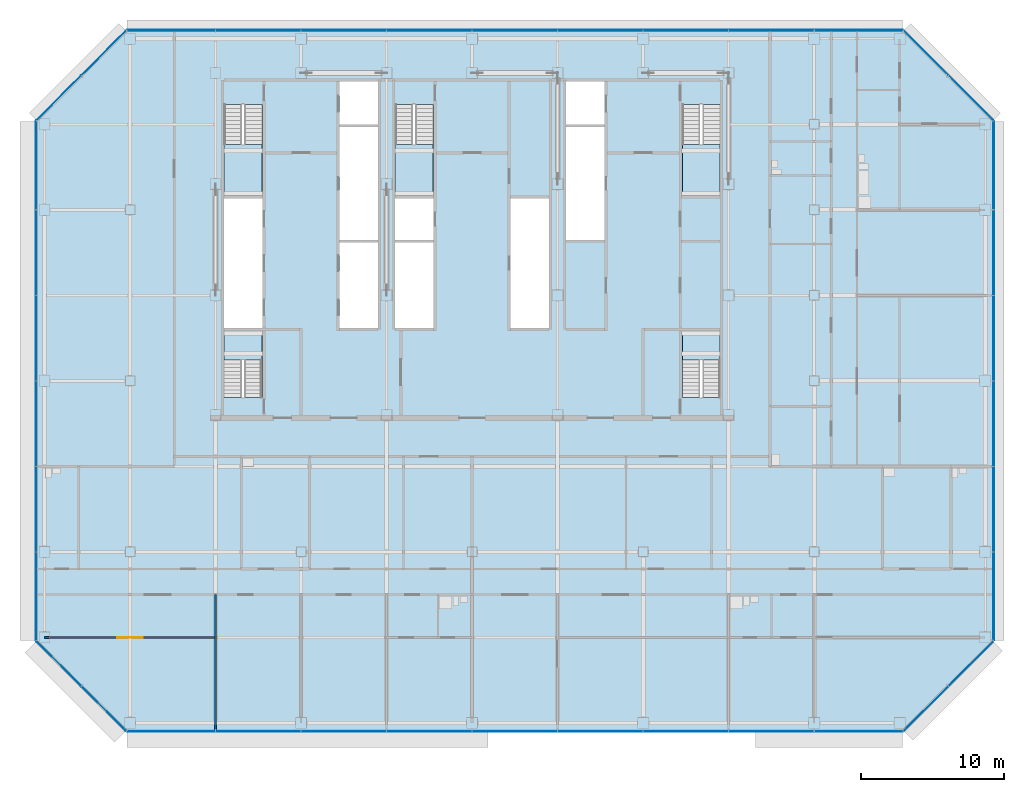
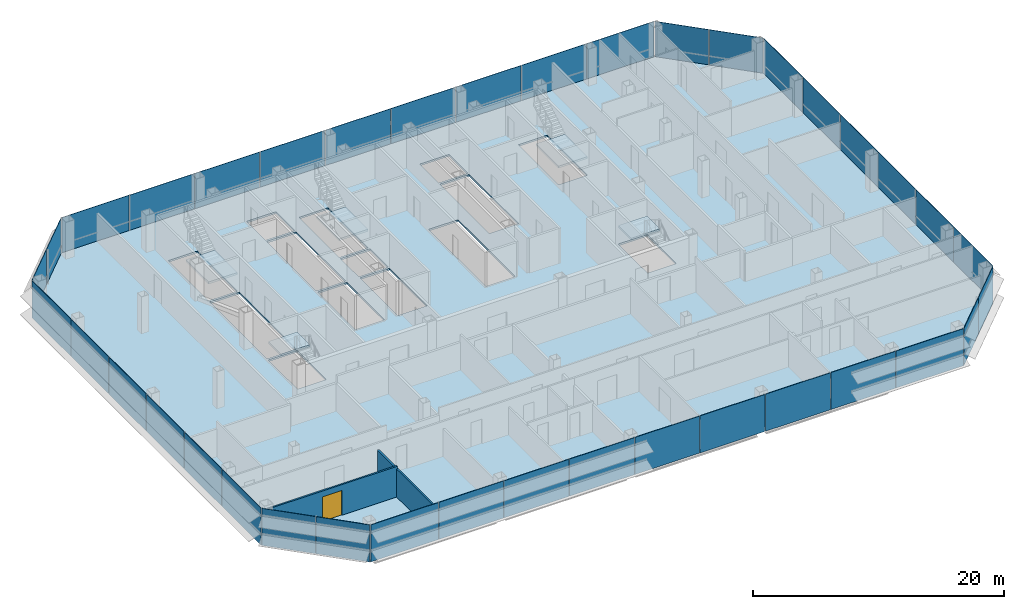
# One storey, part 18 of 25: 38 plates, 6 slabs, 2 walls, 1 door, 1 opening, 13 elements without a shape of their own.
"""IFC4 building model written with IfcOpenShell, lengths in metres."""

from ifc_helpers import new_model, si_unit, direction, frame, frame_2d, origin, origin_2d, place, context, subcontext, project, spatial, polyline, rectangle, outline, extrude, material, layer, layer_set, type_object, element, fill, aggregate, save


model = new_model("IFC4")

# Units and contexts
model_context = context("Model", 3, precision=1e-05, world=origin(), true_north=direction((0.0, 1.0)))
body_context = subcontext(model_context, "Body", "Model", "MODEL_VIEW")
ifc_project = project(units=[si_unit("LENGTHUNIT", "METRE"), si_unit("AREAUNIT", "SQUARE_METRE"), si_unit("VOLUMEUNIT", "CUBIC_METRE"), si_unit("PLANEANGLEUNIT", "RADIAN"), si_unit("MASSUNIT", "GRAM", prefix="KILO")], contexts=[model_context])

# Site, building, storey
site_placement = place(None, origin())
site = spatial("IfcSite", under=ifc_project, at=site_placement, CompositionType="ELEMENT")
building_placement = place(site_placement, origin())
building = spatial("IfcBuilding", under=site, at=building_placement, Name="Sorahane Residences", CompositionType="ELEMENT")
storey_placement = place(building_placement, frame((0.0, 0.0, 99.800048828125)))
storey = spatial("IfcBuildingStorey", under=building, at=storey_placement, Name="L21", CompositionType="ELEMENT", Elevation=99.800048828125)

# Slab
ifc_material_1 = material(Name="Concrete C35", Category="concrete")
ifc_layer_1 = layer(ifc_material_1, 0.179931640625)
ifc_layer_set_1 = layer_set([ifc_layer_1], Name="Composite floor slab 180 mm Concrete C35")
slab_type_1 = type_object("IfcSlabType", Name="Composite floor slab 180 mm Concrete C35", PredefinedType="FLOOR", material=ifc_layer_set_1)
slab_1_placement = place(storey_placement, frame((0.0, 0.0, -0.179931640625)))
element("IfcSlab", 1, at=slab_1_placement, inside=storey, type_object=slab_type_1, Name="Slab L21", PredefinedType="FLOOR", context=body_context, shape_type="SweptSolid", body=[
    extrude(outline(polyline([(-0.24853515625, -0.60009765625), (-6.60009765625, 5.75146484375), (-6.60009765625, 42.24853515625), (-0.24853515625, 48.60009765625), (54.24853515625, 48.60009765625), (60.60009765625, 42.24853515625), (60.60009765625, 5.75146484375), (54.24853515625, -0.60009765625), (-0.24853515625, -0.60009765625)]), holes=[polyline([(18.60009765625, 27.699951171875), (21.300048828125, 27.699951171875), (21.300048828125, 33.699951171875), (18.60009765625, 33.699951171875), (18.60009765625, 27.699951171875)]), polyline([(30.60009765625, 42.0), (33.300048828125, 42.0), (33.300048828125, 45.0), (30.60009765625, 45.0), (30.60009765625, 42.0)]), polyline([(14.699951171875, 27.699951171875), (17.39990234375, 27.699951171875), (17.39990234375, 33.699951171875), (14.699951171875, 33.699951171875), (14.699951171875, 27.699951171875)]), polyline([(14.699951171875, 42.0), (17.39990234375, 42.0), (17.39990234375, 45.0), (14.699951171875, 45.0), (14.699951171875, 42.0)]), polyline([(6.60009765625, 27.699951171875), (9.300048828125, 27.699951171875), (9.300048828125, 36.800048828125), (6.60009765625, 36.800048828125), (6.60009765625, 27.699951171875)]), polyline([(6.60009765625, 43.39990234375), (6.60009765625, 37.0), (9.25, 37.0), (9.25, 43.39990234375), (6.60009765625, 43.39990234375)]), polyline([(38.75, 43.39990234375), (38.75, 37.0), (41.39990234375, 37.0), (41.39990234375, 43.39990234375), (38.75, 43.39990234375)]), polyline([(18.60009765625, 43.39990234375), (18.60009765625, 37.0), (21.25, 37.0), (21.25, 43.39990234375), (18.60009765625, 43.39990234375)]), polyline([(9.25, 22.85009765625), (9.25, 27.5), (6.60009765625, 27.5), (6.60009765625, 22.85009765625), (9.25, 22.85009765625)]), polyline([(41.39990234375, 22.85009765625), (41.39990234375, 27.5), (38.75, 27.5), (38.75, 22.85009765625), (41.39990234375, 22.85009765625)]), polyline([(14.699951171875, 33.89990234375), (17.39990234375, 33.89990234375), (17.39990234375, 41.800048828125), (14.699951171875, 41.800048828125), (14.699951171875, 33.89990234375)]), polyline([(30.60009765625, 33.89990234375), (33.300048828125, 33.89990234375), (33.300048828125, 41.800048828125), (30.60009765625, 41.800048828125), (30.60009765625, 33.89990234375)]), polyline([(18.60009765625, 33.89990234375), (21.300048828125, 33.89990234375), (21.300048828125, 36.800048828125), (18.60009765625, 36.800048828125), (18.60009765625, 33.89990234375)]), polyline([(26.699951171875, 27.699951171875), (29.39990234375, 27.699951171875), (29.39990234375, 36.800048828125), (26.699951171875, 36.800048828125), (26.699951171875, 27.699951171875)])]), origin(), (0.0, 0.0, 1.0), 0.179931640625),
])

# Curtain wall, plates
ifc_material_2 = material(Name="Dark low-e glass and black anodised aluminium", Category="aluminium")
curtain_wall_type_1 = type_object("IfcCurtainWallType", Name="Curtain wall CW-1 Typical unitised wall", PredefinedType="NOTDEFINED", material=ifc_material_2)
curtain_wall_1_placement = place(storey_placement, origin())
curtain_wall_1 = element("IfcCurtainWall", 2, at=curtain_wall_1_placement, inside=storey, type_object=curtain_wall_type_1, Name="CW-1 curtain wall L21 S1", PredefinedType="NOTDEFINED")
ifc_material_3 = material(Name="Dark low-e glass with black ceramic frit", Category="glass")
ifc_layer_2 = layer(ifc_material_3, 0.0400390625)
ifc_layer_set_2 = layer_set([ifc_layer_2], Name="Curtain wall glass panel dark low-e with black frit spandrel band")
plate_type = type_object("IfcPlateType", Name="Curtain wall glass panel dark low-e with black frit spandrel band", PredefinedType="CURTAIN_PANEL", material=ifc_layer_set_2)
plate_1_placement = place(storey_placement, frame((2.88818359375, -0.60009765625, -0.18017578125), z_axis=(0.0, 0.0, 1.0), x_axis=(1.0, 0.0, 0.0)))
plate_1 = element("IfcPlate", 3, at=plate_1_placement, type_object=plate_type, Name="CW-1 glass panel L21 S1.1", PredefinedType="CURTAIN_PANEL", context=body_context, shape_type="SweptSolid", body=[
    extrude(rectangle(XDim=6.173583984375, YDim=0.0400390625, at=origin_2d()), origin(), (0.0, 0.0, 1.0), 3.60009765625),
])
plate_2_placement = place(storey_placement, frame((9.0, -0.60009765625, -0.18017578125), z_axis=(0.0, 0.0, 1.0), x_axis=(1.0, 0.0, 0.0)))
plate_2 = element("IfcPlate", 4, at=plate_2_placement, type_object=plate_type, Name="CW-1 glass panel L21 S1.2", PredefinedType="CURTAIN_PANEL", context=body_context, shape_type="SweptSolid", body=[
    extrude(rectangle(XDim=5.949951171875, YDim=0.0400390625, at=origin_2d()), origin(), (0.0, 0.0, 1.0), 3.60009765625),
])
plate_3_placement = place(storey_placement, frame((15.0, -0.60009765625, -0.18017578125), z_axis=(0.0, 0.0, 1.0), x_axis=(1.0, 0.0, 0.0)))
plate_3 = element("IfcPlate", 5, at=plate_3_placement, type_object=plate_type, Name="CW-1 glass panel L21 S1.3", PredefinedType="CURTAIN_PANEL", context=body_context, shape_type="SweptSolid", body=[
    extrude(rectangle(XDim=5.949951171875, YDim=0.0400390625, at=origin_2d()), origin(), (0.0, 0.0, 1.0), 3.60009765625),
])
plate_4_placement = place(storey_placement, frame((21.0, -0.60009765625, -0.18017578125), z_axis=(0.0, 0.0, 1.0), x_axis=(1.0, 0.0, 0.0)))
plate_4 = element("IfcPlate", 6, at=plate_4_placement, type_object=plate_type, Name="CW-1 glass panel L21 S1.4", PredefinedType="CURTAIN_PANEL", context=body_context, shape_type="SweptSolid", body=[
    extrude(rectangle(XDim=5.949951171875, YDim=0.0400390625, at=origin_2d()), origin(), (0.0, 0.0, 1.0), 3.60009765625),
])
plate_5_placement = place(storey_placement, frame((27.0, -0.60009765625, -0.18017578125), z_axis=(0.0, 0.0, 1.0), x_axis=(1.0, 0.0, 0.0)))
plate_5 = element("IfcPlate", 7, at=plate_5_placement, type_object=plate_type, Name="CW-1 glass panel L21 S1.5", PredefinedType="CURTAIN_PANEL", context=body_context, shape_type="SweptSolid", body=[
    extrude(rectangle(XDim=5.949951171875, YDim=0.0400390625, at=origin_2d()), origin(), (0.0, 0.0, 1.0), 3.60009765625),
])
plate_6_placement = place(storey_placement, frame((33.0, -0.60009765625, -0.18017578125), z_axis=(0.0, 0.0, 1.0), x_axis=(1.0, 0.0, 0.0)))
plate_6 = element("IfcPlate", 8, at=plate_6_placement, type_object=plate_type, Name="CW-1 glass panel L21 S1.6", PredefinedType="CURTAIN_PANEL", context=body_context, shape_type="SweptSolid", body=[
    extrude(rectangle(XDim=5.949951171875, YDim=0.0400390625, at=origin_2d()), origin(), (0.0, 0.0, 1.0), 3.60009765625),
])
plate_7_placement = place(storey_placement, frame((39.0, -0.60009765625, -0.18017578125), z_axis=(0.0, 0.0, 1.0), x_axis=(1.0, 0.0, 0.0)))
plate_7 = element("IfcPlate", 9, at=plate_7_placement, type_object=plate_type, Name="CW-1 glass panel L21 S1.7", PredefinedType="CURTAIN_PANEL", context=body_context, shape_type="SweptSolid", body=[
    extrude(rectangle(XDim=5.949951171875, YDim=0.0400390625, at=origin_2d()), origin(), (0.0, 0.0, 1.0), 3.60009765625),
])
plate_8_placement = place(storey_placement, frame((45.0, -0.60009765625, -0.18017578125), z_axis=(0.0, 0.0, 1.0), x_axis=(1.0, 0.0, 0.0)))
plate_8 = element("IfcPlate", 10, at=plate_8_placement, type_object=plate_type, Name="CW-1 glass panel L21 S1.8", PredefinedType="CURTAIN_PANEL", context=body_context, shape_type="SweptSolid", body=[
    extrude(rectangle(XDim=5.949951171875, YDim=0.0400390625, at=origin_2d()), origin(), (0.0, 0.0, 1.0), 3.60009765625),
])
plate_9_placement = place(storey_placement, frame((51.11181640625, -0.60009765625, -0.18017578125), z_axis=(0.0, 0.0, 1.0), x_axis=(1.0, 0.0, 0.0)))
plate_9 = element("IfcPlate", 11, at=plate_9_placement, type_object=plate_type, Name="CW-1 glass panel L21 S1.9", PredefinedType="CURTAIN_PANEL", context=body_context, shape_type="SweptSolid", body=[
    extrude(rectangle(XDim=6.173583984375, YDim=0.0400390625, at=origin_2d()), origin(), (0.0, 0.0, 1.0), 3.60009765625),
])
aggregate(curtain_wall_1, [plate_1, plate_2, plate_3, plate_4, plate_5, plate_6, plate_7, plate_8, plate_9])

ifc_material_4 = material(Name="Dark low-e glass and black anodised aluminium", Category="aluminium")
curtain_wall_type_2 = type_object("IfcCurtainWallType", Name="Curtain wall CW-2 Chamfer unitised wall", PredefinedType="NOTDEFINED", material=ifc_material_4)
curtain_wall_2_placement = place(storey_placement, origin())
curtain_wall_2 = element("IfcCurtainWall", 12, at=curtain_wall_2_placement, inside=storey, type_object=curtain_wall_type_2, Name="CW-2 curtain wall L21 SE1", PredefinedType="NOTDEFINED")
plate_10_placement = place(storey_placement, frame((55.84521484375, 0.996826171875, -0.18017578125), z_axis=(0.0, 0.0, 1.0), x_axis=(0.707106781187, 0.707106781187, 0.0)))
plate_10 = element("IfcPlate", 13, at=plate_10_placement, type_object=plate_type, Name="CW-2 glass panel L21 SE1.1", PredefinedType="CURTAIN_PANEL", context=body_context, shape_type="SweptSolid", body=[
    extrude(rectangle(XDim=4.416259765625, YDim=0.0400390625, at=origin_2d()), origin(), (0.0, 0.0, 1.0), 3.60009765625),
])
plate_11_placement = place(storey_placement, frame((59.003173828125, 4.15478515625, -0.18017578125), z_axis=(0.0, 0.0, 1.0), x_axis=(0.707106781187, 0.707106781187, 0.0)))
plate_11 = element("IfcPlate", 14, at=plate_11_placement, type_object=plate_type, Name="CW-2 glass panel L21 SE1.2", PredefinedType="CURTAIN_PANEL", context=body_context, shape_type="SweptSolid", body=[
    extrude(rectangle(XDim=4.416259765625, YDim=0.0400390625, at=origin_2d()), origin(), (0.0, 0.0, 1.0), 3.60009765625),
])
aggregate(curtain_wall_2, [plate_10, plate_11])

curtain_wall_3_placement = place(storey_placement, origin())
curtain_wall_3 = element("IfcCurtainWall", 15, at=curtain_wall_3_placement, inside=storey, type_object=curtain_wall_type_1, Name="CW-1 curtain wall L21 E1", PredefinedType="NOTDEFINED")
plate_12_placement = place(storey_placement, frame((60.60009765625, 8.88818359375, -0.18017578125), z_axis=(0.0, 0.0, 1.0), x_axis=(0.0, 1.0, 0.0)))
plate_12 = element("IfcPlate", 16, at=plate_12_placement, type_object=plate_type, Name="CW-1 glass panel L21 E1.1", PredefinedType="CURTAIN_PANEL", context=body_context, shape_type="SweptSolid", body=[
    extrude(rectangle(XDim=6.173583984375, YDim=0.0400390625, at=origin_2d()), origin(), (0.0, 0.0, 1.0), 3.60009765625),
])
plate_13_placement = place(storey_placement, frame((60.60009765625, 15.0, -0.18017578125), z_axis=(0.0, 0.0, 1.0), x_axis=(0.0, 1.0, 0.0)))
plate_13 = element("IfcPlate", 17, at=plate_13_placement, type_object=plate_type, Name="CW-1 glass panel L21 E1.2", PredefinedType="CURTAIN_PANEL", context=body_context, shape_type="SweptSolid", body=[
    extrude(rectangle(XDim=5.949951171875, YDim=0.0400390625, at=origin_2d()), origin(), (0.0, 0.0, 1.0), 3.60009765625),
])
plate_14_placement = place(storey_placement, frame((60.60009765625, 21.0, -0.18017578125), z_axis=(0.0, 0.0, 1.0), x_axis=(0.0, 1.0, 0.0)))
plate_14 = element("IfcPlate", 18, at=plate_14_placement, type_object=plate_type, Name="CW-1 glass panel L21 E1.3", PredefinedType="CURTAIN_PANEL", context=body_context, shape_type="SweptSolid", body=[
    extrude(rectangle(XDim=5.949951171875, YDim=0.0400390625, at=origin_2d()), origin(), (0.0, 0.0, 1.0), 3.60009765625),
])
plate_15_placement = place(storey_placement, frame((60.60009765625, 27.0, -0.18017578125), z_axis=(0.0, 0.0, 1.0), x_axis=(0.0, 1.0, 0.0)))
plate_15 = element("IfcPlate", 19, at=plate_15_placement, type_object=plate_type, Name="CW-1 glass panel L21 E1.4", PredefinedType="CURTAIN_PANEL", context=body_context, shape_type="SweptSolid", body=[
    extrude(rectangle(XDim=5.949951171875, YDim=0.0400390625, at=origin_2d()), origin(), (0.0, 0.0, 1.0), 3.60009765625),
])
plate_16_placement = place(storey_placement, frame((60.60009765625, 33.0, -0.18017578125), z_axis=(0.0, 0.0, 1.0), x_axis=(0.0, 1.0, 0.0)))
plate_16 = element("IfcPlate", 20, at=plate_16_placement, type_object=plate_type, Name="CW-1 glass panel L21 E1.5", PredefinedType="CURTAIN_PANEL", context=body_context, shape_type="SweptSolid", body=[
    extrude(rectangle(XDim=5.949951171875, YDim=0.0400390625, at=origin_2d()), origin(), (0.0, 0.0, 1.0), 3.60009765625),
])
plate_17_placement = place(storey_placement, frame((60.60009765625, 39.11181640625, -0.18017578125), z_axis=(0.0, 0.0, 1.0), x_axis=(0.0, 1.0, 0.0)))
plate_17 = element("IfcPlate", 21, at=plate_17_placement, type_object=plate_type, Name="CW-1 glass panel L21 E1.6", PredefinedType="CURTAIN_PANEL", context=body_context, shape_type="SweptSolid", body=[
    extrude(rectangle(XDim=6.173583984375, YDim=0.0400390625, at=origin_2d()), origin(), (0.0, 0.0, 1.0), 3.60009765625),
])
aggregate(curtain_wall_3, [plate_12, plate_13, plate_14, plate_15, plate_16, plate_17])

curtain_wall_4_placement = place(storey_placement, origin())
curtain_wall_4 = element("IfcCurtainWall", 22, at=curtain_wall_4_placement, inside=storey, type_object=curtain_wall_type_2, Name="CW-2 curtain wall L21 NE1", PredefinedType="NOTDEFINED")
plate_18_placement = place(storey_placement, frame((59.003173828125, 43.84521484375, -0.18017578125), z_axis=(0.0, 0.0, 1.0), x_axis=(-0.707106781187, 0.707106781187, 0.0)))
plate_18 = element("IfcPlate", 23, at=plate_18_placement, type_object=plate_type, Name="CW-2 glass panel L21 NE1.1", PredefinedType="CURTAIN_PANEL", context=body_context, shape_type="SweptSolid", body=[
    extrude(rectangle(XDim=4.416259765625, YDim=0.0400390625, at=origin_2d()), origin(), (0.0, 0.0, 1.0), 3.60009765625),
])
plate_19_placement = place(storey_placement, frame((55.84521484375, 47.003173828125, -0.18017578125), z_axis=(0.0, 0.0, 1.0), x_axis=(-0.707106781187, 0.707106781187, 0.0)))
plate_19 = element("IfcPlate", 24, at=plate_19_placement, type_object=plate_type, Name="CW-2 glass panel L21 NE1.2", PredefinedType="CURTAIN_PANEL", context=body_context, shape_type="SweptSolid", body=[
    extrude(rectangle(XDim=4.416259765625, YDim=0.0400390625, at=origin_2d()), origin(), (0.0, 0.0, 1.0), 3.60009765625),
])
aggregate(curtain_wall_4, [plate_18, plate_19])

curtain_wall_5_placement = place(storey_placement, origin())
curtain_wall_5 = element("IfcCurtainWall", 25, at=curtain_wall_5_placement, inside=storey, type_object=curtain_wall_type_1, Name="CW-1 curtain wall L21 N1", PredefinedType="NOTDEFINED")
plate_20_placement = place(storey_placement, frame((51.11181640625, 48.60009765625, -0.18017578125), z_axis=(0.0, 0.0, 1.0), x_axis=(-1.0, 0.0, 0.0)))
plate_20 = element("IfcPlate", 26, at=plate_20_placement, type_object=plate_type, Name="CW-1 glass panel L21 N1.1", PredefinedType="CURTAIN_PANEL", context=body_context, shape_type="SweptSolid", body=[
    extrude(rectangle(XDim=6.173583984375, YDim=0.0400390625, at=origin_2d()), origin(), (0.0, 0.0, 1.0), 3.60009765625),
])
plate_21_placement = place(storey_placement, frame((45.0, 48.60009765625, -0.18017578125), z_axis=(0.0, 0.0, 1.0), x_axis=(-1.0, 0.0, 0.0)))
plate_21 = element("IfcPlate", 27, at=plate_21_placement, type_object=plate_type, Name="CW-1 glass panel L21 N1.2", PredefinedType="CURTAIN_PANEL", context=body_context, shape_type="SweptSolid", body=[
    extrude(rectangle(XDim=5.949951171875, YDim=0.0400390625, at=origin_2d()), origin(), (0.0, 0.0, 1.0), 3.60009765625),
])
plate_22_placement = place(storey_placement, frame((39.0, 48.60009765625, -0.18017578125), z_axis=(0.0, 0.0, 1.0), x_axis=(-1.0, 0.0, 0.0)))
plate_22 = element("IfcPlate", 28, at=plate_22_placement, type_object=plate_type, Name="CW-1 glass panel L21 N1.3", PredefinedType="CURTAIN_PANEL", context=body_context, shape_type="SweptSolid", body=[
    extrude(rectangle(XDim=5.949951171875, YDim=0.0400390625, at=origin_2d()), origin(), (0.0, 0.0, 1.0), 3.60009765625),
])
plate_23_placement = place(storey_placement, frame((33.0, 48.60009765625, -0.18017578125), z_axis=(0.0, 0.0, 1.0), x_axis=(-1.0, 0.0, 0.0)))
plate_23 = element("IfcPlate", 29, at=plate_23_placement, type_object=plate_type, Name="CW-1 glass panel L21 N1.4", PredefinedType="CURTAIN_PANEL", context=body_context, shape_type="SweptSolid", body=[
    extrude(rectangle(XDim=5.949951171875, YDim=0.0400390625, at=origin_2d()), origin(), (0.0, 0.0, 1.0), 3.60009765625),
])
plate_24_placement = place(storey_placement, frame((27.0, 48.60009765625, -0.18017578125), z_axis=(0.0, 0.0, 1.0), x_axis=(-1.0, 0.0, 0.0)))
plate_24 = element("IfcPlate", 30, at=plate_24_placement, type_object=plate_type, Name="CW-1 glass panel L21 N1.5", PredefinedType="CURTAIN_PANEL", context=body_context, shape_type="SweptSolid", body=[
    extrude(rectangle(XDim=5.949951171875, YDim=0.0400390625, at=origin_2d()), origin(), (0.0, 0.0, 1.0), 3.60009765625),
])
plate_25_placement = place(storey_placement, frame((21.0, 48.60009765625, -0.18017578125), z_axis=(0.0, 0.0, 1.0), x_axis=(-1.0, 0.0, 0.0)))
plate_25 = element("IfcPlate", 31, at=plate_25_placement, type_object=plate_type, Name="CW-1 glass panel L21 N1.6", PredefinedType="CURTAIN_PANEL", context=body_context, shape_type="SweptSolid", body=[
    extrude(rectangle(XDim=5.949951171875, YDim=0.0400390625, at=origin_2d()), origin(), (0.0, 0.0, 1.0), 3.60009765625),
])
plate_26_placement = place(storey_placement, frame((15.0, 48.60009765625, -0.18017578125), z_axis=(0.0, 0.0, 1.0), x_axis=(-1.0, 0.0, 0.0)))
plate_26 = element("IfcPlate", 32, at=plate_26_placement, type_object=plate_type, Name="CW-1 glass panel L21 N1.7", PredefinedType="CURTAIN_PANEL", context=body_context, shape_type="SweptSolid", body=[
    extrude(rectangle(XDim=5.949951171875, YDim=0.0400390625, at=origin_2d()), origin(), (0.0, 0.0, 1.0), 3.60009765625),
])
plate_27_placement = place(storey_placement, frame((9.0, 48.60009765625, -0.18017578125), z_axis=(0.0, 0.0, 1.0), x_axis=(-1.0, 0.0, 0.0)))
plate_27 = element("IfcPlate", 33, at=plate_27_placement, type_object=plate_type, Name="CW-1 glass panel L21 N1.8", PredefinedType="CURTAIN_PANEL", context=body_context, shape_type="SweptSolid", body=[
    extrude(rectangle(XDim=5.949951171875, YDim=0.0400390625, at=origin_2d()), origin(), (0.0, 0.0, 1.0), 3.60009765625),
])
plate_28_placement = place(storey_placement, frame((2.88818359375, 48.60009765625, -0.18017578125), z_axis=(0.0, 0.0, 1.0), x_axis=(-1.0, 0.0, 0.0)))
plate_28 = element("IfcPlate", 34, at=plate_28_placement, type_object=plate_type, Name="CW-1 glass panel L21 N1.9", PredefinedType="CURTAIN_PANEL", context=body_context, shape_type="SweptSolid", body=[
    extrude(rectangle(XDim=6.173583984375, YDim=0.0400390625, at=origin_2d()), origin(), (0.0, 0.0, 1.0), 3.60009765625),
])
aggregate(curtain_wall_5, [plate_20, plate_21, plate_22, plate_23, plate_24, plate_25, plate_26, plate_27, plate_28])

curtain_wall_6_placement = place(storey_placement, origin())
curtain_wall_6 = element("IfcCurtainWall", 35, at=curtain_wall_6_placement, inside=storey, type_object=curtain_wall_type_2, Name="CW-2 curtain wall L21 NW1", PredefinedType="NOTDEFINED")
plate_29_placement = place(storey_placement, frame((-1.84521484375, 47.003173828125, -0.18017578125), z_axis=(0.0, 0.0, 1.0), x_axis=(-0.707106781187, -0.707106781187, 0.0)))
plate_29 = element("IfcPlate", 36, at=plate_29_placement, type_object=plate_type, Name="CW-2 glass panel L21 NW1.1", PredefinedType="CURTAIN_PANEL", context=body_context, shape_type="SweptSolid", body=[
    extrude(rectangle(XDim=4.416259765625, YDim=0.0400390625, at=origin_2d()), origin(), (0.0, 0.0, 1.0), 3.60009765625),
])
plate_30_placement = place(storey_placement, frame((-5.003173828125, 43.84521484375, -0.18017578125), z_axis=(0.0, 0.0, 1.0), x_axis=(-0.707106781187, -0.707106781187, 0.0)))
plate_30 = element("IfcPlate", 37, at=plate_30_placement, type_object=plate_type, Name="CW-2 glass panel L21 NW1.2", PredefinedType="CURTAIN_PANEL", context=body_context, shape_type="SweptSolid", body=[
    extrude(rectangle(XDim=4.416259765625, YDim=0.0400390625, at=origin_2d()), origin(), (0.0, 0.0, 1.0), 3.60009765625),
])
aggregate(curtain_wall_6, [plate_29, plate_30])

curtain_wall_7_placement = place(storey_placement, origin())
curtain_wall_7 = element("IfcCurtainWall", 38, at=curtain_wall_7_placement, inside=storey, type_object=curtain_wall_type_1, Name="CW-1 curtain wall L21 W1", PredefinedType="NOTDEFINED")
plate_31_placement = place(storey_placement, frame((-6.60009765625, 39.11181640625, -0.18017578125), z_axis=(0.0, 0.0, 1.0), x_axis=(0.0, -1.0, 0.0)))
plate_31 = element("IfcPlate", 39, at=plate_31_placement, type_object=plate_type, Name="CW-1 glass panel L21 W1.1", PredefinedType="CURTAIN_PANEL", context=body_context, shape_type="SweptSolid", body=[
    extrude(rectangle(XDim=6.173583984375, YDim=0.0400390625, at=origin_2d()), origin(), (0.0, 0.0, 1.0), 3.60009765625),
])
plate_32_placement = place(storey_placement, frame((-6.60009765625, 33.0, -0.18017578125), z_axis=(0.0, 0.0, 1.0), x_axis=(0.0, -1.0, 0.0)))
plate_32 = element("IfcPlate", 40, at=plate_32_placement, type_object=plate_type, Name="CW-1 glass panel L21 W1.2", PredefinedType="CURTAIN_PANEL", context=body_context, shape_type="SweptSolid", body=[
    extrude(rectangle(XDim=5.949951171875, YDim=0.0400390625, at=origin_2d()), origin(), (0.0, 0.0, 1.0), 3.60009765625),
])
plate_33_placement = place(storey_placement, frame((-6.60009765625, 27.0, -0.18017578125), z_axis=(0.0, 0.0, 1.0), x_axis=(0.0, -1.0, 0.0)))
plate_33 = element("IfcPlate", 41, at=plate_33_placement, type_object=plate_type, Name="CW-1 glass panel L21 W1.3", PredefinedType="CURTAIN_PANEL", context=body_context, shape_type="SweptSolid", body=[
    extrude(rectangle(XDim=5.949951171875, YDim=0.0400390625, at=origin_2d()), origin(), (0.0, 0.0, 1.0), 3.60009765625),
])
plate_34_placement = place(storey_placement, frame((-6.60009765625, 21.0, -0.18017578125), z_axis=(0.0, 0.0, 1.0), x_axis=(0.0, -1.0, 0.0)))
plate_34 = element("IfcPlate", 42, at=plate_34_placement, type_object=plate_type, Name="CW-1 glass panel L21 W1.4", PredefinedType="CURTAIN_PANEL", context=body_context, shape_type="SweptSolid", body=[
    extrude(rectangle(XDim=5.949951171875, YDim=0.0400390625, at=origin_2d()), origin(), (0.0, 0.0, 1.0), 3.60009765625),
])
plate_35_placement = place(storey_placement, frame((-6.60009765625, 15.0, -0.18017578125), z_axis=(0.0, 0.0, 1.0), x_axis=(0.0, -1.0, 0.0)))
plate_35 = element("IfcPlate", 43, at=plate_35_placement, type_object=plate_type, Name="CW-1 glass panel L21 W1.5", PredefinedType="CURTAIN_PANEL", context=body_context, shape_type="SweptSolid", body=[
    extrude(rectangle(XDim=5.949951171875, YDim=0.0400390625, at=origin_2d()), origin(), (0.0, 0.0, 1.0), 3.60009765625),
])
plate_36_placement = place(storey_placement, frame((-6.60009765625, 8.88818359375, -0.18017578125), z_axis=(0.0, 0.0, 1.0), x_axis=(0.0, -1.0, 0.0)))
plate_36 = element("IfcPlate", 44, at=plate_36_placement, type_object=plate_type, Name="CW-1 glass panel L21 W1.6", PredefinedType="CURTAIN_PANEL", context=body_context, shape_type="SweptSolid", body=[
    extrude(rectangle(XDim=6.173583984375, YDim=0.0400390625, at=origin_2d()), origin(), (0.0, 0.0, 1.0), 3.60009765625),
])
aggregate(curtain_wall_7, [plate_31, plate_32, plate_33, plate_34, plate_35, plate_36])

curtain_wall_8_placement = place(storey_placement, origin())
curtain_wall_8 = element("IfcCurtainWall", 45, at=curtain_wall_8_placement, inside=storey, type_object=curtain_wall_type_2, Name="CW-2 curtain wall L21 SW1", PredefinedType="NOTDEFINED")
plate_37_placement = place(storey_placement, frame((-5.003173828125, 4.15478515625, -0.18017578125), z_axis=(0.0, 0.0, 1.0), x_axis=(0.707106781187, -0.707106781187, 0.0)))
plate_37 = element("IfcPlate", 46, at=plate_37_placement, type_object=plate_type, Name="CW-2 glass panel L21 SW1.1", PredefinedType="CURTAIN_PANEL", context=body_context, shape_type="SweptSolid", body=[
    extrude(rectangle(XDim=4.416259765625, YDim=0.0400390625, at=origin_2d()), origin(), (0.0, 0.0, 1.0), 3.60009765625),
])
plate_38_placement = place(storey_placement, frame((-1.84521484375, 0.996826171875, -0.18017578125), z_axis=(0.0, 0.0, 1.0), x_axis=(0.707106781187, -0.707106781187, 0.0)))
plate_38 = element("IfcPlate", 47, at=plate_38_placement, type_object=plate_type, Name="CW-2 glass panel L21 SW1.2", PredefinedType="CURTAIN_PANEL", context=body_context, shape_type="SweptSolid", body=[
    extrude(rectangle(XDim=4.416259765625, YDim=0.0400390625, at=origin_2d()), origin(), (0.0, 0.0, 1.0), 3.60009765625),
])
aggregate(curtain_wall_8, [plate_37, plate_38])

# Stair, slab
ifc_material_5 = material(Name="Concrete C40", Category="concrete")
stair_type = type_object("IfcStairType", Name="Dog-leg stair 1250 Concrete C40", PredefinedType="HALF_TURN_STAIR", material=ifc_material_5)
stair_1_placement = place(storey_placement, origin())
stair_1 = element("IfcStair", 48, at=stair_1_placement, inside=storey, type_object=stair_type, Name="L21 Stair S1", PredefinedType="HALF_TURN_STAIR")
ifc_material_6 = material(Name="Concrete C40", Category="concrete")
ifc_layer_3 = layer(ifc_material_6, 0.199951171875)
ifc_layer_set_3 = layer_set([ifc_layer_3], Name="Stair landing 200 Concrete C40")
slab_type_2 = type_object("IfcSlabType", Name="Stair landing 200 Concrete C40", PredefinedType="LANDING", material=ifc_layer_set_3)
slab_2_placement = place(storey_placement, frame((0.0, 0.0, 1.599853515625)))
slab_2 = element("IfcSlab", 49, at=slab_2_placement, type_object=slab_type_2, Name="S1 landing 1", PredefinedType="LANDING", context=body_context, shape_type="SweptSolid", body=[
    extrude(outline(polyline([(6.60009765625, 40.60009765625), (6.60009765625, 37.0), (9.25, 37.0), (9.25, 40.60009765625), (6.60009765625, 40.60009765625)])), origin(), (0.0, 0.0, 1.0), 0.2001953125),
])
aggregate(stair_1, [slab_2])

stair_2_placement = place(storey_placement, origin())
stair_2 = element("IfcStair", 50, at=stair_2_placement, inside=storey, type_object=stair_type, Name="L21 Stair S2", PredefinedType="HALF_TURN_STAIR")
slab_3_placement = place(storey_placement, frame((0.0, 0.0, 1.599853515625)))
slab_3 = element("IfcSlab", 51, at=slab_3_placement, type_object=slab_type_2, Name="S2 landing 1", PredefinedType="LANDING", context=body_context, shape_type="SweptSolid", body=[
    extrude(outline(polyline([(38.75, 40.60009765625), (38.75, 37.0), (41.39990234375, 37.0), (41.39990234375, 40.60009765625), (38.75, 40.60009765625)])), origin(), (0.0, 0.0, 1.0), 0.2001953125),
])
aggregate(stair_2, [slab_3])

stair_3_placement = place(storey_placement, origin())
stair_3 = element("IfcStair", 52, at=stair_3_placement, inside=storey, type_object=stair_type, Name="L21 Stair S3", PredefinedType="HALF_TURN_STAIR")
slab_4_placement = place(storey_placement, frame((0.0, 0.0, 1.599853515625)))
slab_4 = element("IfcSlab", 53, at=slab_4_placement, type_object=slab_type_2, Name="S3 landing 1", PredefinedType="LANDING", context=body_context, shape_type="SweptSolid", body=[
    extrude(outline(polyline([(18.60009765625, 40.60009765625), (18.60009765625, 37.0), (21.25, 37.0), (21.25, 40.60009765625), (18.60009765625, 40.60009765625)])), origin(), (0.0, 0.0, 1.0), 0.2001953125),
])
aggregate(stair_3, [slab_4])

stair_4_placement = place(storey_placement, origin())
stair_4 = element("IfcStair", 54, at=stair_4_placement, inside=storey, type_object=stair_type, Name="L21 Stair S4", PredefinedType="HALF_TURN_STAIR")
slab_5_placement = place(storey_placement, frame((0.0, 0.0, 1.599853515625)))
slab_5 = element("IfcSlab", 55, at=slab_5_placement, type_object=slab_type_2, Name="S4 landing 1", PredefinedType="LANDING", context=body_context, shape_type="SweptSolid", body=[
    extrude(outline(polyline([(9.25, 25.449951171875), (9.25, 27.5), (6.60009765625, 27.5), (6.60009765625, 25.449951171875), (9.25, 25.449951171875)])), origin(), (0.0, 0.0, 1.0), 0.2001953125),
])
aggregate(stair_4, [slab_5])

stair_5_placement = place(storey_placement, origin())
stair_5 = element("IfcStair", 56, at=stair_5_placement, inside=storey, type_object=stair_type, Name="L21 Stair S5", PredefinedType="HALF_TURN_STAIR")
slab_6_placement = place(storey_placement, frame((0.0, 0.0, 1.599853515625)))
slab_6 = element("IfcSlab", 57, at=slab_6_placement, type_object=slab_type_2, Name="S5 landing 1", PredefinedType="LANDING", context=body_context, shape_type="SweptSolid", body=[
    extrude(outline(polyline([(41.39990234375, 25.449951171875), (41.39990234375, 27.5), (38.75, 27.5), (38.75, 25.449951171875), (41.39990234375, 25.449951171875)])), origin(), (0.0, 0.0, 1.0), 0.2001953125),
])
aggregate(stair_5, [slab_6])

# Wall
ifc_material_7 = material(Name="Gypsum board partition on steel studs", Category="steel")
ifc_layer_4 = layer(ifc_material_7, 0.14990234375)
ifc_layer_set_4 = layer_set([ifc_layer_4], Name="Partition 150 EI 90")
wall_type = type_object("IfcWallType", Name="Partition 150 EI 90", PredefinedType="PARTITIONING", material=ifc_layer_set_4)
wall_1_placement = place(storey_placement, frame((6.0, -0.60009765625, 0.0), z_axis=(0.0, 0.0, 1.0), x_axis=(0.0, 1.0, 0.0)))
element("IfcWall", 58, at=wall_1_placement, inside=storey, type_object=wall_type, Name="L21 partition", PredefinedType="PARTITIONING", context=body_context, shape_type="SweptSolid", body=[
    extrude(rectangle(XDim=9.60009765625, YDim=0.14990234375, at=frame_2d((4.800048828125, 0.0))), origin(), (0.0, 0.0, 1.0), 2.719970703125),
])

# Wall, opening, door
wall_2_placement = place(storey_placement, frame((-6.0, 6.0, 0.0), z_axis=(0.0, 0.0, 1.0), x_axis=(1.0, 0.0, 0.0)))
wall_2 = element("IfcWall", 59, at=wall_2_placement, inside=storey, type_object=wall_type, Name="L21 partition", PredefinedType="PARTITIONING", context=body_context, shape_type="SweptSolid", body=[
    extrude(rectangle(XDim=12.0, YDim=0.14990234375, at=frame_2d((6.0, 0.0))), origin(), (0.0, 0.0, 1.0), 2.969970703125),
])
opening_placement = place(wall_2_placement, frame((5.10009765625, 0.0, 0.0)))
opening = element("IfcOpeningElement", 60, at=opening_placement, cuts=wall_2, Name="Opening L21-10", PredefinedType="OPENING", context=body_context, shape_type="SweptSolid", body=[
    extrude(rectangle(XDim=1.800048828125, YDim=2.39990234375, at=frame_2d((0.89990234375, 1.199951171875))), frame((0.0, 0.0849609375, 0.0), z_axis=(0.0, -1.0, 0.0), x_axis=(1.0, 0.0, 0.0)), (0.0, 0.0, 1.0), 0.169921875),
])
ifc_material_8 = material(Name="Timber veneered fire door", Category="wood")
door_type = type_object("IfcDoorType", Name="Double door 1800x2400 FD30", OperationType="NOTDEFINED", PredefinedType="DOOR", material=ifc_material_8)
door_placement = place(opening_placement, frame((1.800048828125, 0.0, 0.0), z_axis=(0.0, 0.0, 1.0), x_axis=(-1.0, 0.0, 0.0)))
door = element("IfcDoor", 61, at=door_placement, inside=storey, type_object=door_type, Name="Double door L21-10", OperationType="SINGLE_SWING_LEFT", OverallHeight=2.39990234375, OverallWidth=1.800048828125, PredefinedType="DOOR", context=body_context, shape_type="SweptSolid", body=[
    extrude(rectangle(XDim=1.800048828125, YDim=2.39990234375, at=frame_2d((0.89990234375, 1.199951171875))), frame((0.0, 0.02490234375, 0.0), z_axis=(0.0, -1.0, 0.0), x_axis=(1.0, 0.0, 0.0)), (0.0, 0.0, 1.0), 0.050048828125),
])
fill(opening, door)

save(model, "model.ifc")
